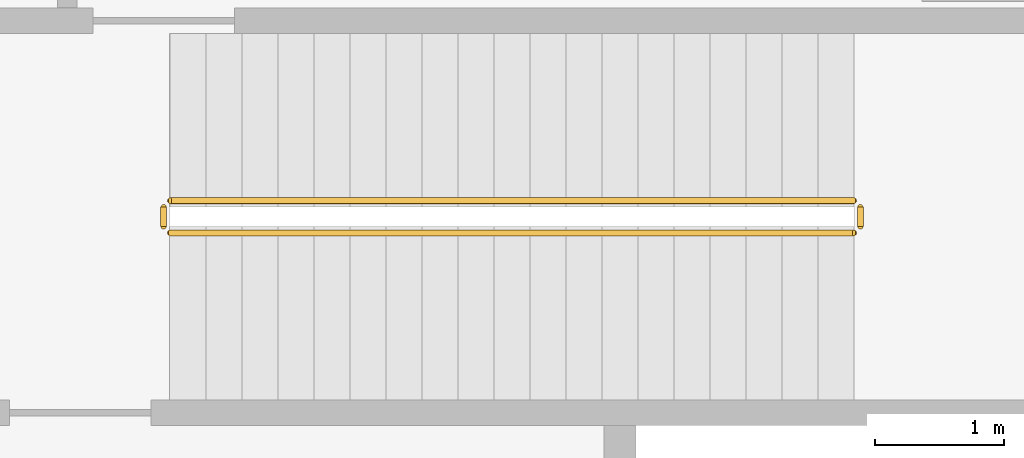
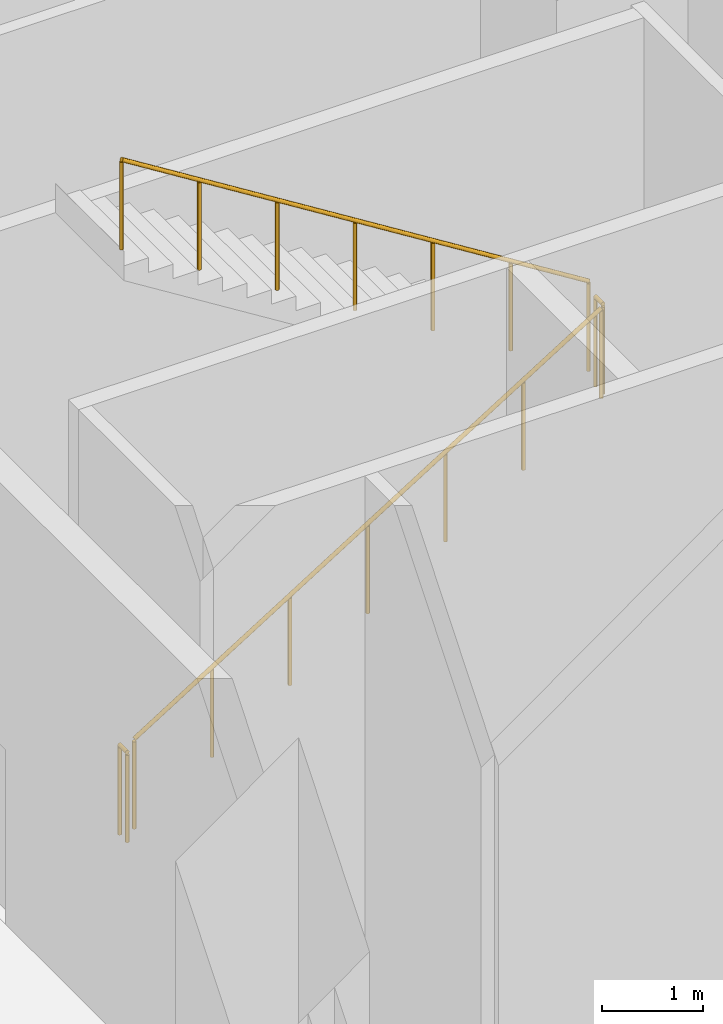
# One storey, part 26 of 32: 4 railings.
"""IFC4 building model written with IfcOpenShell, lengths in metres."""

from ifc_helpers import new_model, si_unit, direction, frame, origin, origin_2d, place, context, subcontext, project, spatial, circle, extrude, material, type_object, element, save


model = new_model("IFC4")

# Units and contexts
model_context = context("Model", 3, precision=1e-05, world=origin(), true_north=direction((0.0, 1.0)))
body_context = subcontext(model_context, "Body", "Model", "MODEL_VIEW")
ifc_project = project(units=[si_unit("LENGTHUNIT", "METRE"), si_unit("AREAUNIT", "SQUARE_METRE"), si_unit("VOLUMEUNIT", "CUBIC_METRE"), si_unit("PLANEANGLEUNIT", "RADIAN"), si_unit("MASSUNIT", "GRAM", prefix="KILO")], contexts=[model_context])

# Site, building, storey
site_placement = place(None, origin())
site = spatial("IfcSite", under=ifc_project, at=site_placement, CompositionType="ELEMENT")
building_placement = place(site_placement, origin())
building = spatial("IfcBuilding", under=site, at=building_placement, Name="Kawkab Arch Medical Tower", CompositionType="ELEMENT")
storey_placement = place(building_placement, origin())
storey = spatial("IfcBuildingStorey", under=building, at=storey_placement, Name="L01", CompositionType="ELEMENT", Elevation=0.0)

# Railings
ifc_material = material(Name="Stainless steel", Category="steel")
railing_type = type_object("IfcRailingType", Name="Stair guard 1100", PredefinedType="GUARDRAIL", material=ifc_material)
railing_1_placement = place(storey_placement, frame((1.800048828125, -36.14990234375, 0.175048828125)))
element("IfcRailing", 1, at=railing_1_placement, inside=storey, type_object=railing_type, Name="L01 ST6 stair guard 1", PredefinedType="GUARDRAIL", context=body_context, shape_type="SweptSolid", body=[
    extrude(circle(Radius=0.02392578125, at=origin_2d()), frame((0.0, 0.0, 1.076171875), z_axis=(0.848004862711, 0.0, 0.52998844593), x_axis=(0.0, 1.0, 0.0)), (0.0, 0.0, 1.0), 6.273681640625),
    extrude(circle(Radius=0.02099609375, at=origin_2d()), origin(), (0.0, 0.0, 1.0), 1.052001953125),
    extrude(circle(Radius=0.02099609375, at=origin_2d()), frame((0.88671875, 0.0, 0.55419921875)), (0.0, 0.0, 1.0), 1.052001953125),
    extrude(circle(Radius=0.02099609375, at=origin_2d()), frame((1.7734375, 0.0, 1.1083984375)), (0.0, 0.0, 1.0), 1.052001953125),
    extrude(circle(Radius=0.02099609375, at=origin_2d()), frame((2.66015625, 0.0, 1.66259765625)), (0.0, 0.0, 1.0), 1.052001953125),
    extrude(circle(Radius=0.02099609375, at=origin_2d()), frame((3.546630859375, 0.0, 2.216552734375)), (0.0, 0.0, 1.0), 1.052001953125),
    extrude(circle(Radius=0.02099609375, at=origin_2d()), frame((4.433349609375, 0.0, 2.770751953125)), (0.0, 0.0, 1.0), 1.052001953125),
    extrude(circle(Radius=0.02099609375, at=origin_2d()), frame((5.320068359375, 0.0, 3.324951171875)), (0.0, 0.0, 1.0), 1.052001953125),
])
railing_2_placement = place(storey_placement, frame((7.169921875, -36.10009765625, 3.5)))
element("IfcRailing", 2, at=railing_2_placement, inside=storey, type_object=railing_type, Name="L01 ST6 stair guard 2", PredefinedType="GUARDRAIL", context=body_context, shape_type="SweptSolid", body=[
    extrude(circle(Radius=0.02392578125, at=origin_2d()), frame((0.0, 0.0, 1.076171875), z_axis=(0.0, 1.0, 0.0), x_axis=(-1.0, 0.0, 0.0)), (0.0, 0.0, 1.0), 0.150146484375),
    extrude(circle(Radius=0.02099609375, at=origin_2d()), origin(), (0.0, 0.0, 1.0), 1.052001953125),
    extrude(circle(Radius=0.02099609375, at=origin_2d()), frame((0.0, 0.150146484375, 0.0)), (0.0, 0.0, 1.0), 1.052001953125),
])
railing_3_placement = place(storey_placement, frame((7.1201171875, -35.89990234375, 3.675048828125)))
element("IfcRailing", 3, at=railing_3_placement, inside=storey, type_object=railing_type, Name="L01 ST6 stair guard 3", PredefinedType="GUARDRAIL", context=body_context, shape_type="SweptSolid", body=[
    extrude(circle(Radius=0.02392578125, at=origin_2d()), frame((0.0, 0.0, 1.076171875), z_axis=(-0.848004862711, 0.0, 0.52998844593), x_axis=(0.0, -1.0, 0.0)), (0.0, 0.0, 1.0), 6.273681640625),
    extrude(circle(Radius=0.02099609375, at=origin_2d()), origin(), (0.0, 0.0, 1.0), 1.052001953125),
    extrude(circle(Radius=0.02099609375, at=origin_2d()), frame((-0.88671875, 0.0, 0.55419921875)), (0.0, 0.0, 1.0), 1.052001953125),
    extrude(circle(Radius=0.02099609375, at=origin_2d()), frame((-1.7734375, 0.0, 1.1083984375)), (0.0, 0.0, 1.0), 1.052001953125),
    extrude(circle(Radius=0.02099609375, at=origin_2d()), frame((-2.66015625, 0.0, 1.66259765625)), (0.0, 0.0, 1.0), 1.052001953125),
    extrude(circle(Radius=0.02099609375, at=origin_2d()), frame((-3.546630859375, 0.0, 2.216552734375)), (0.0, 0.0, 1.0), 1.052001953125),
    extrude(circle(Radius=0.02099609375, at=origin_2d()), frame((-4.433349609375, 0.0, 2.770751953125)), (0.0, 0.0, 1.0), 1.052001953125),
    extrude(circle(Radius=0.02099609375, at=origin_2d()), frame((-5.320068359375, 0.0, 3.324951171875)), (0.0, 0.0, 1.0), 1.052001953125),
])
railing_4_placement = place(storey_placement, frame((1.75, -36.10009765625, 0.0)))
element("IfcRailing", 4, at=railing_4_placement, inside=storey, type_object=railing_type, Name="L01 ST6 stair guard 4", PredefinedType="GUARDRAIL", context=body_context, shape_type="SweptSolid", body=[
    extrude(circle(Radius=0.02392578125, at=origin_2d()), frame((0.0, 0.0, 1.076171875), z_axis=(0.0, 1.0, 0.0), x_axis=(-1.0, 0.0, 0.0)), (0.0, 0.0, 1.0), 0.150146484375),
    extrude(circle(Radius=0.02099609375, at=origin_2d()), origin(), (0.0, 0.0, 1.0), 1.052001953125),
    extrude(circle(Radius=0.02099609375, at=origin_2d()), frame((0.0, 0.150146484375, 0.0)), (0.0, 0.0, 1.0), 1.052001953125),
])

save(model, "model.ifc")
